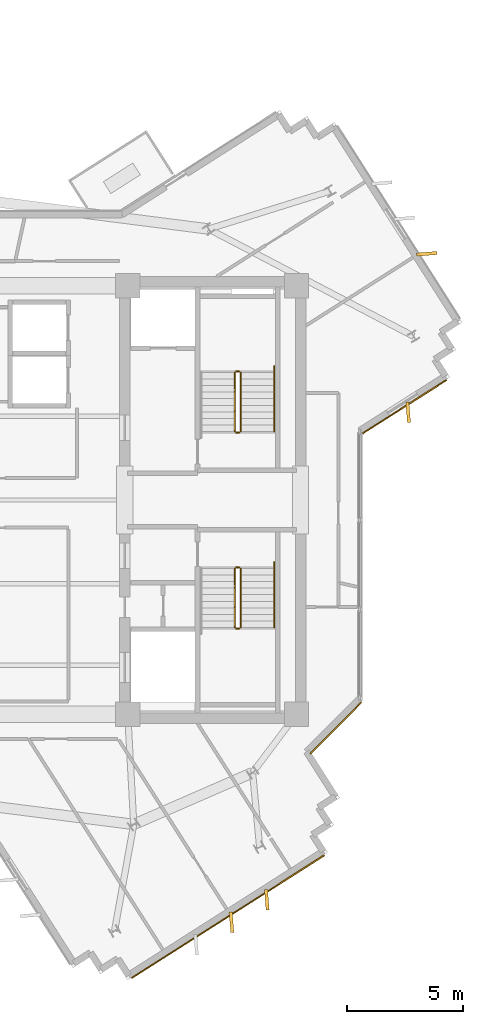
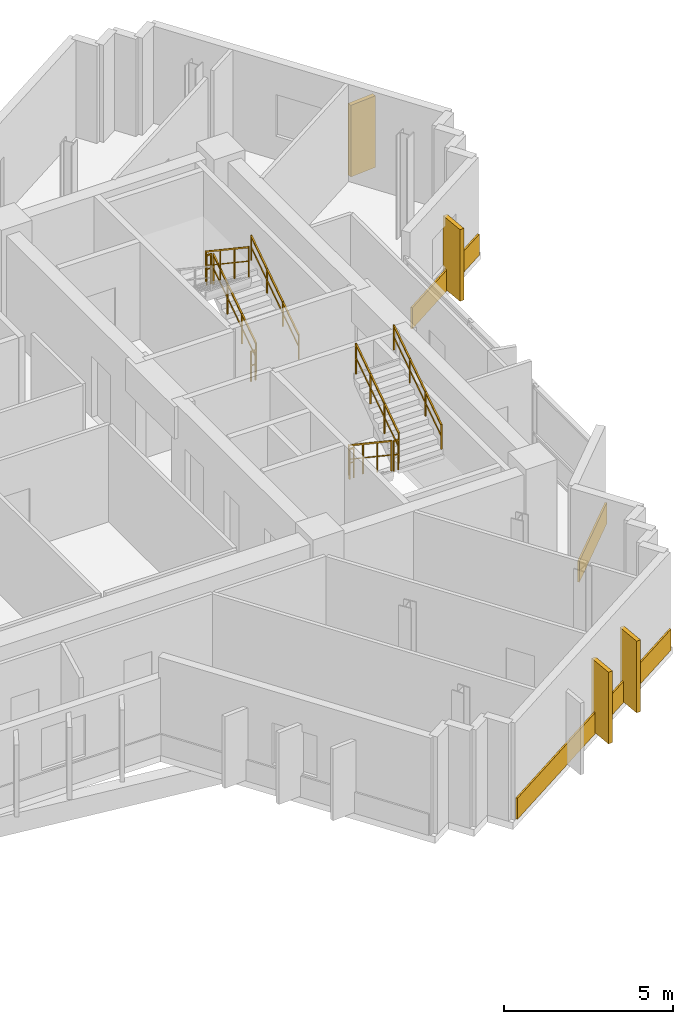
# One storey, part 11 of 12: 10 railings, 7 coverings.
"""IFC4 building model written with IfcOpenShell, lengths in metres."""

from ifc_helpers import new_model, si_unit, direction, frame, origin, origin_2d, place, context, subcontext, project, spatial, rectangle, extrude, source, transform, mapped, material, layer, layer_set, type_object, element, save


model = new_model("IFC4")

# Units and contexts
model_context = context("Model", 3, precision=1e-05, world=origin(), true_north=direction((0.0, 1.0)))
body_context = subcontext(model_context, "Body", "Model", "MODEL_VIEW")
ifc_project = project(units=[si_unit("LENGTHUNIT", "METRE"), si_unit("AREAUNIT", "SQUARE_METRE"), si_unit("VOLUMEUNIT", "CUBIC_METRE"), si_unit("PLANEANGLEUNIT", "RADIAN"), si_unit("MASSUNIT", "GRAM", prefix="KILO")], contexts=[model_context])

# Site, building, storey
site_placement = place(None, origin())
site = spatial("IfcSite", under=ifc_project, at=site_placement, CompositionType="ELEMENT")
building_placement = place(site_placement, origin())
building = spatial("IfcBuilding", under=site, at=building_placement, Name="Zahravan Cultural Tower", CompositionType="ELEMENT")
storey_placement = place(building_placement, frame((0.0, 0.0, 261.60009765625)))
storey = spatial("IfcBuildingStorey", under=building, at=storey_placement, Name="L62", CompositionType="ELEMENT", Elevation=261.60009765625)

# Railings
ifc_material_1 = material(Name="Steel ASTM A572 Grade 50", Category="steel")
railing_type_1 = type_object("IfcRailingType", Name="RL-STAIR-GRD1150", PredefinedType="BALUSTRADE", material=ifc_material_1)
railing_1_placement = place(storey_placement, frame((47.949951171875, 29.949951171875, 0.1875)))
element("IfcRailing", 1, at=railing_1_placement, inside=storey, type_object=railing_type_1, Name="L62 ST-E1 stair guard 1", PredefinedType="BALUSTRADE", context=body_context, shape_type="SweptSolid", body=[
    extrude(rectangle(XDim=0.05, YDim=0.05, at=origin_2d()), frame((0.0, 0.0, 1.0751953125), z_axis=(0.0, 0.830909170722, 0.55640807867), x_axis=(-1.0, 0.0, 0.0)), (0.0, 0.0, 1.0), 3.032958984375),
    extrude(rectangle(XDim=0.032, YDim=0.032, at=origin_2d()), frame((0.0, 0.0, 0.572021484375), z_axis=(0.0, 0.830909170722, 0.55640807867), x_axis=(-1.0, 0.0, 0.0)), (0.0, 0.0, 1.0), 3.032958984375),
    extrude(rectangle(XDim=0.04, YDim=0.04, at=origin_2d()), origin(), (0.0, 0.0, 1.0), 1.10009765625),
    extrude(rectangle(XDim=0.04, YDim=0.04, at=origin_2d()), frame((0.0, 0.840087890625, 0.5625)), (0.0, 0.0, 1.0), 1.10009765625),
    extrude(rectangle(XDim=0.04, YDim=0.04, at=origin_2d()), frame((0.0, 1.679931640625, 1.125)), (0.0, 0.0, 1.0), 1.10009765625),
    extrude(rectangle(XDim=0.04, YDim=0.04, at=origin_2d()), frame((0.0, 2.52001953125, 1.6875)), (0.0, 0.0, 1.0), 1.10009765625),
])
railing_2_placement = place(storey_placement, frame((47.89990234375, 32.52001953125, 1.875)))
element("IfcRailing", 2, at=railing_2_placement, inside=storey, type_object=railing_type_1, Name="L62 ST-E1 stair guard 2", PredefinedType="BALUSTRADE", context=body_context, shape_type="SweptSolid", body=[
    extrude(rectangle(XDim=0.05, YDim=0.05, at=origin_2d()), frame((0.0, 0.0, 1.0751953125), z_axis=(-1.0, 0.0, 0.0), x_axis=(0.0, -1.0, 0.0)), (0.0, 0.0, 1.0), 0.14990234375),
    extrude(rectangle(XDim=0.032, YDim=0.032, at=origin_2d()), frame((0.0, 0.0, 0.572021484375), z_axis=(-1.0, 0.0, 0.0), x_axis=(0.0, -1.0, 0.0)), (0.0, 0.0, 1.0), 0.14990234375),
    extrude(rectangle(XDim=0.04, YDim=0.04, at=origin_2d()), origin(), (0.0, 0.0, 1.0), 1.10009765625),
    extrude(rectangle(XDim=0.04, YDim=0.04, at=origin_2d()), frame((-0.14990234375, 0.0, 0.0)), (0.0, 0.0, 1.0), 1.10009765625),
])
railing_3_placement = place(storey_placement, frame((47.699951171875, 32.469970703125, 2.0625)))
element("IfcRailing", 3, at=railing_3_placement, inside=storey, type_object=railing_type_1, Name="L62 ST-E1 stair guard 3", PredefinedType="BALUSTRADE", context=body_context, shape_type="SweptSolid", body=[
    extrude(rectangle(XDim=0.05, YDim=0.05, at=origin_2d()), frame((0.0, 0.0, 1.0751953125), z_axis=(0.0, -0.830909170722, 0.55640807867), x_axis=(1.0, 0.0, 0.0)), (0.0, 0.0, 1.0), 3.032958984375),
    extrude(rectangle(XDim=0.032, YDim=0.032, at=origin_2d()), frame((0.0, 0.0, 0.572021484375), z_axis=(0.0, -0.830909170722, 0.55640807867), x_axis=(1.0, 0.0, 0.0)), (0.0, 0.0, 1.0), 3.032958984375),
    extrude(rectangle(XDim=0.04, YDim=0.04, at=origin_2d()), origin(), (0.0, 0.0, 1.0), 1.10009765625),
    extrude(rectangle(XDim=0.04, YDim=0.04, at=origin_2d()), frame((0.0, -0.840087890625, 0.5625)), (0.0, 0.0, 1.0), 1.10009765625),
    extrude(rectangle(XDim=0.04, YDim=0.04, at=origin_2d()), frame((0.0, -1.679931640625, 1.125)), (0.0, 0.0, 1.0), 1.10009765625),
    extrude(rectangle(XDim=0.04, YDim=0.04, at=origin_2d()), frame((0.0, -2.52001953125, 1.6875)), (0.0, 0.0, 1.0), 1.10009765625),
])
railing_4_placement = place(storey_placement, frame((47.89990234375, 29.89990234375, 0.0)))
element("IfcRailing", 4, at=railing_4_placement, inside=storey, type_object=railing_type_1, Name="L62 ST-E1 stair guard 4", PredefinedType="BALUSTRADE", context=body_context, shape_type="SweptSolid", body=[
    extrude(rectangle(XDim=0.05, YDim=0.05, at=origin_2d()), frame((0.0, 0.0, 1.0751953125), z_axis=(-1.0, 0.0, 0.0), x_axis=(0.0, -1.0, 0.0)), (0.0, 0.0, 1.0), 0.14990234375),
    extrude(rectangle(XDim=0.032, YDim=0.032, at=origin_2d()), frame((0.0, 0.0, 0.572021484375), z_axis=(-1.0, 0.0, 0.0), x_axis=(0.0, -1.0, 0.0)), (0.0, 0.0, 1.0), 0.14990234375),
    extrude(rectangle(XDim=0.04, YDim=0.04, at=origin_2d()), origin(), (0.0, 0.0, 1.0), 1.10009765625),
    extrude(rectangle(XDim=0.04, YDim=0.04, at=origin_2d()), frame((-0.14990234375, 0.0, 0.0)), (0.0, 0.0, 1.0), 1.10009765625),
])
railing_5_placement = place(storey_placement, frame((47.699951171875, 24.050048828125, 0.1875)))
element("IfcRailing", 5, at=railing_5_placement, inside=storey, type_object=railing_type_1, Name="L62 ST-E2 stair guard 1", PredefinedType="BALUSTRADE", context=body_context, shape_type="SweptSolid", body=[
    extrude(rectangle(XDim=0.05, YDim=0.05, at=origin_2d()), frame((0.0, 0.0, 1.0751953125), z_axis=(0.0, -0.830909170722, 0.55640807867), x_axis=(1.0, 0.0, 0.0)), (0.0, 0.0, 1.0), 3.032958984375),
    extrude(rectangle(XDim=0.032, YDim=0.032, at=origin_2d()), frame((0.0, 0.0, 0.572021484375), z_axis=(0.0, -0.830909170722, 0.55640807867), x_axis=(1.0, 0.0, 0.0)), (0.0, 0.0, 1.0), 3.032958984375),
    extrude(rectangle(XDim=0.04, YDim=0.04, at=origin_2d()), origin(), (0.0, 0.0, 1.0), 1.10009765625),
    extrude(rectangle(XDim=0.04, YDim=0.04, at=origin_2d()), frame((0.0, -0.840087890625, 0.5625)), (0.0, 0.0, 1.0), 1.10009765625),
    extrude(rectangle(XDim=0.04, YDim=0.04, at=origin_2d()), frame((0.0, -1.679931640625, 1.125)), (0.0, 0.0, 1.0), 1.10009765625),
    extrude(rectangle(XDim=0.04, YDim=0.04, at=origin_2d()), frame((0.0, -2.52001953125, 1.6875)), (0.0, 0.0, 1.0), 1.10009765625),
])
railing_6_placement = place(storey_placement, frame((47.75, 21.47998046875, 1.875)))
element("IfcRailing", 6, at=railing_6_placement, inside=storey, type_object=railing_type_1, Name="L62 ST-E2 stair guard 2", PredefinedType="BALUSTRADE", context=body_context, shape_type="SweptSolid", body=[
    extrude(rectangle(XDim=0.05, YDim=0.05, at=origin_2d()), frame((0.0, 0.0, 1.0751953125), z_axis=(1.0, 0.0, 0.0), x_axis=(0.0, 1.0, 0.0)), (0.0, 0.0, 1.0), 0.14990234375),
    extrude(rectangle(XDim=0.032, YDim=0.032, at=origin_2d()), frame((0.0, 0.0, 0.572021484375), z_axis=(1.0, 0.0, 0.0), x_axis=(0.0, 1.0, 0.0)), (0.0, 0.0, 1.0), 0.14990234375),
    extrude(rectangle(XDim=0.04, YDim=0.04, at=origin_2d()), origin(), (0.0, 0.0, 1.0), 1.10009765625),
    extrude(rectangle(XDim=0.04, YDim=0.04, at=origin_2d()), frame((0.14990234375, 0.0, 0.0)), (0.0, 0.0, 1.0), 1.10009765625),
])
railing_7_placement = place(storey_placement, frame((47.949951171875, 21.530029296875, 2.0625)))
element("IfcRailing", 7, at=railing_7_placement, inside=storey, type_object=railing_type_1, Name="L62 ST-E2 stair guard 3", PredefinedType="BALUSTRADE", context=body_context, shape_type="SweptSolid", body=[
    extrude(rectangle(XDim=0.05, YDim=0.05, at=origin_2d()), frame((0.0, 0.0, 1.0751953125), z_axis=(0.0, 0.830909170722, 0.55640807867), x_axis=(-1.0, 0.0, 0.0)), (0.0, 0.0, 1.0), 3.032958984375),
    extrude(rectangle(XDim=0.032, YDim=0.032, at=origin_2d()), frame((0.0, 0.0, 0.572021484375), z_axis=(0.0, 0.830909170722, 0.55640807867), x_axis=(-1.0, 0.0, 0.0)), (0.0, 0.0, 1.0), 3.032958984375),
    extrude(rectangle(XDim=0.04, YDim=0.04, at=origin_2d()), origin(), (0.0, 0.0, 1.0), 1.10009765625),
    extrude(rectangle(XDim=0.04, YDim=0.04, at=origin_2d()), frame((0.0, 0.840087890625, 0.5625)), (0.0, 0.0, 1.0), 1.10009765625),
    extrude(rectangle(XDim=0.04, YDim=0.04, at=origin_2d()), frame((0.0, 1.679931640625, 1.125)), (0.0, 0.0, 1.0), 1.10009765625),
    extrude(rectangle(XDim=0.04, YDim=0.04, at=origin_2d()), frame((0.0, 2.52001953125, 1.6875)), (0.0, 0.0, 1.0), 1.10009765625),
])
railing_8_placement = place(storey_placement, frame((47.75, 24.10009765625, 0.0)))
element("IfcRailing", 8, at=railing_8_placement, inside=storey, type_object=railing_type_1, Name="L62 ST-E2 stair guard 4", PredefinedType="BALUSTRADE", context=body_context, shape_type="SweptSolid", body=[
    extrude(rectangle(XDim=0.05, YDim=0.05, at=origin_2d()), frame((0.0, 0.0, 1.0751953125), z_axis=(1.0, 0.0, 0.0), x_axis=(0.0, 1.0, 0.0)), (0.0, 0.0, 1.0), 0.14990234375),
    extrude(rectangle(XDim=0.032, YDim=0.032, at=origin_2d()), frame((0.0, 0.0, 0.572021484375), z_axis=(1.0, 0.0, 0.0), x_axis=(0.0, 1.0, 0.0)), (0.0, 0.0, 1.0), 0.14990234375),
    extrude(rectangle(XDim=0.04, YDim=0.04, at=origin_2d()), origin(), (0.0, 0.0, 1.0), 1.10009765625),
    extrude(rectangle(XDim=0.04, YDim=0.04, at=origin_2d()), frame((0.14990234375, 0.0, 0.0)), (0.0, 0.0, 1.0), 1.10009765625),
])
railing_type_2 = type_object("IfcRailingType", Name="RL-STAIR-HR900", PredefinedType="HANDRAIL", material=ifc_material_1)
for number, where, name in (
    (9, (49.39990234375, 29.949951171875, 0.1875), "L62 ST-E1 stair handrail 1"),
    (10, (49.39990234375, 21.530029296875, 2.0625), "L62 ST-E2 stair handrail 2"),
):
    element("IfcRailing", number, at=place(storey_placement, frame(where)), inside=storey, type_object=railing_type_2, Name=name, PredefinedType="HANDRAIL", context=body_context, shape_type="SweptSolid", body=[
        extrude(rectangle(XDim=0.05, YDim=0.05, at=origin_2d()), frame((0.0, 0.0, 0.875), z_axis=(0.0, 0.830911662861, 0.55640435703), x_axis=(-1.0, 0.0, 0.0)), (0.0, 0.0, 1.0), 3.369873046875),
        extrude(rectangle(XDim=0.032, YDim=0.032, at=origin_2d()), frame((0.0, 0.0, 0.468017578125), z_axis=(0.0, 0.830911662861, 0.55640435703), x_axis=(-1.0, 0.0, 0.0)), (0.0, 0.0, 1.0), 3.369873046875),
        extrude(rectangle(XDim=0.04, YDim=0.04, at=origin_2d()), origin(), (0.0, 0.0, 1.0), 0.89990234375),
        extrude(rectangle(XDim=0.04, YDim=0.04, at=origin_2d()), frame((0.0, 0.933349609375, 0.625)), (0.0, 0.0, 1.0), 0.89990234375),
        extrude(rectangle(XDim=0.04, YDim=0.04, at=origin_2d()), frame((0.0, 1.86669921875, 1.25)), (0.0, 0.0, 1.0), 0.89990234375),
        extrude(rectangle(XDim=0.04, YDim=0.04, at=origin_2d()), frame((0.0, 2.800048828125, 1.875)), (0.0, 0.0, 1.0), 0.89990234375),
    ])

# Coverings
ifc_material_2 = material(Name="Terracotta ceramic cladding", Category="masonry")
ifc_layer = layer(ifc_material_2, 0.06005859375)
ifc_layer_set = layer_set([ifc_layer], Name="Terracotta ceramic cladding")
covering_type = type_object("IfcCoveringType", Name="COV-CLAD-TC60", PredefinedType="CLADDING", material=ifc_layer_set)
shared_shape_1 = source(origin(), body_context, "Body", "SweptSolid", [
    extrude(rectangle(XDim=9.81982421875, YDim=0.06005859375, at=origin_2d()), origin(), (0.0, 0.0, 1.0), 0.760009765625),
])
covering_1_placement = place(storey_placement, frame((47.404296875, 9.09912109375, 0.02001953125), z_axis=(0.0, 0.0, 1.0), x_axis=(-0.843391445813, -0.537299608347, 0.0)))
element("IfcCovering", 11, at=covering_1_placement, inside=storey, type_object=covering_type, Name="L62 Terracotta Spandrel Cladding 18", PredefinedType="CLADDING", context=body_context, shape_type="MappedRepresentation", body=[
    mapped(shared_shape_1, transform((0.0, 0.0, 0.0), x_axis=(1.0, 0.0, 0.0), y_axis=(0.0, 1.0, 0.0), z_axis=(0.0, 0.0, 1.0), scale=1.0)),
])
shared_shape_2 = source(origin(), body_context, "Body", "SweptSolid", [
    extrude(rectangle(XDim=0.8798828125, YDim=0.139892578125, at=origin_2d()), origin(), (0.0, 0.0, 1.0), 2.580078125),
])
for number, where, z_axis, x_axis, name in (
    (12, (55.951904296875, 37.576416015625, 0.0498046875), (0.0, 0.0, 1.0), (0.996917333733, 0.078459095728, 0.0), "L62 Herringbone Terracotta Fin 03"),
    (13, (55.146728515625, 30.767578125, 0.0498046875), (0.0, 0.0, 1.0), (0.078476495206, -0.996915964212, 0.0), "L62 Herringbone Terracotta Fin 04"),
    (14, (49.075439453125, 9.82568359375, 0.0498046875), (0.0, 0.0, 1.0), (0.078459095728, -0.996917333733, 0.0), "L62 Herringbone Terracotta Fin 05"),
    (15, (47.557373046875, 8.858642578125, 0.0498046875), (0.0, 0.0, 1.0), (0.078459095728, -0.996917333733, 0.0), "L62 Herringbone Terracotta Fin 06"),
):
    element("IfcCovering", number, at=place(storey_placement, frame(where, z_axis=z_axis, x_axis=x_axis)), inside=storey, type_object=covering_type, Name=name, PredefinedType="CLADDING", context=body_context, shape_type="MappedRepresentation", body=[
        mapped(shared_shape_2, transform((0.0, 0.0, 0.0), x_axis=(1.0, 0.0, 0.0), y_axis=(0.0, 1.0, 0.0), z_axis=(0.0, 0.0, 1.0), scale=1.0)),
    ])
shared_shape_3 = source(origin(), body_context, "Body", "SweptSolid", [
    extrude(rectangle(XDim=4.275146484375, YDim=0.06005859375, at=origin_2d()), origin(), (0.0, 0.0, 1.0), 0.760009765625),
])
covering_2_placement = place(storey_placement, frame((54.99365234375, 31.0078125, 0.02001953125), z_axis=(0.0, 0.0, 1.0), x_axis=(-0.843382068037, -0.537314328223, 0.0)))
element("IfcCovering", 16, at=covering_2_placement, inside=storey, type_object=covering_type, Name="L62 Terracotta Spandrel Cladding 11", PredefinedType="CLADDING", context=body_context, shape_type="MappedRepresentation", body=[
    mapped(shared_shape_3, transform((0.0, 0.0, 0.0), x_axis=(1.0, 0.0, 0.0), y_axis=(0.0, 1.0, 0.0), z_axis=(0.0, 0.0, 1.0), scale=1.0)),
])
shared_shape_4 = source(origin(), body_context, "Body", "SweptSolid", [
    extrude(rectangle(XDim=3.114990234375, YDim=0.06005859375, at=origin_2d()), origin(), (0.0, 0.0, 1.0), 0.760009765625),
])
covering_3_placement = place(storey_placement, frame((52.0400390625, 17.20458984375, 0.02001953125), z_axis=(0.0, 0.0, 1.0), x_axis=(-0.707094439737, -0.70711912242, 0.0)))
element("IfcCovering", 17, at=covering_3_placement, inside=storey, type_object=covering_type, Name="L62 Terracotta Spandrel Cladding 12", PredefinedType="CLADDING", context=body_context, shape_type="MappedRepresentation", body=[
    mapped(shared_shape_4, transform((0.0, 0.0, 0.0), x_axis=(1.0, 0.0, 0.0), y_axis=(0.0, 1.0, 0.0), z_axis=(0.0, 0.0, 1.0), scale=1.0)),
])

save(model, "model.ifc")
